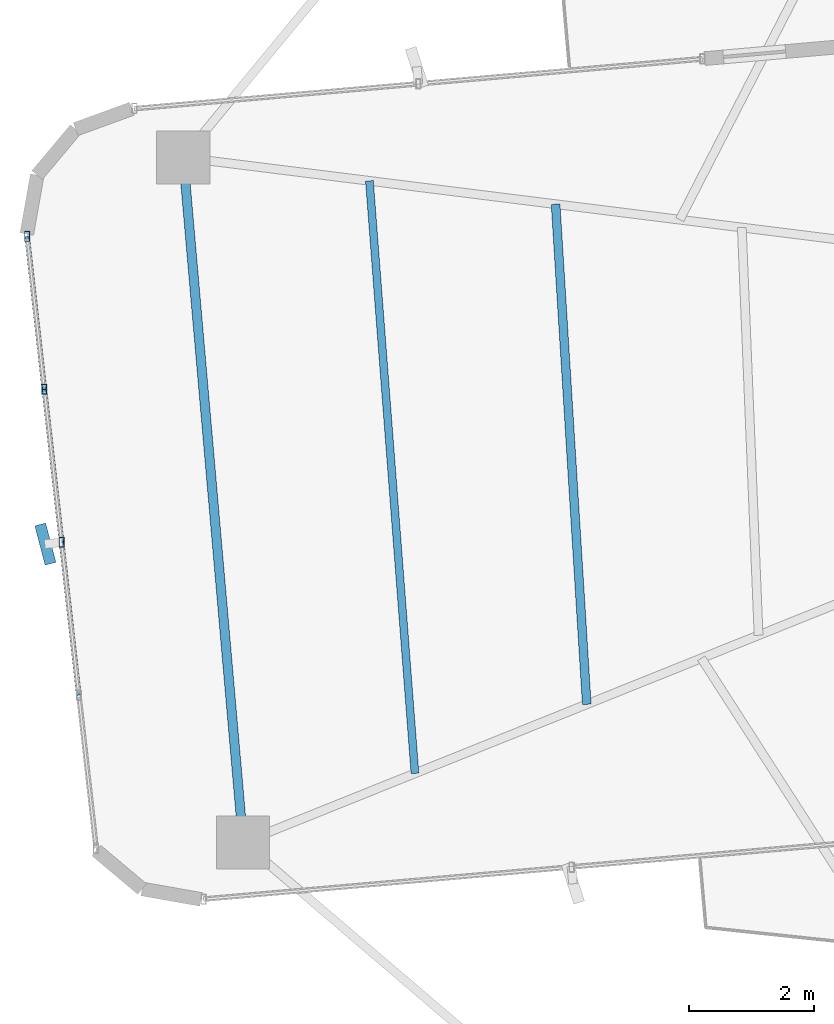
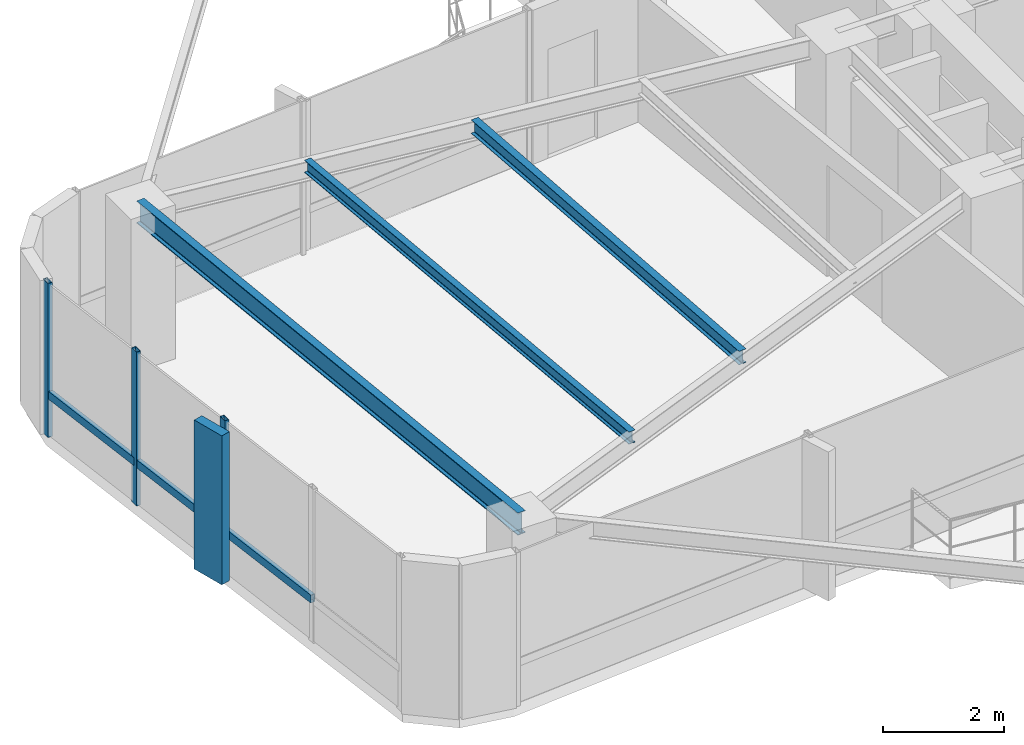
# One storey, part 8 of 24: 7 members, 3 beams, 1 element without a shape of its own.
"""IFC4 building model written with IfcOpenShell, lengths in metres."""

import ifcopenshell
import ifcopenshell.guid

model = None  # the IFC model being written
_history = None  # IfcOwnerHistory: only IFC2X3 demands one
_inside = {}  # id of a spatial element -> (the spatial element, [elements in it])
_under = {}  # id of a project, library or spatial element -> (it, [spatial elements below it])
_declared = {}  # id of a project -> (the project, [libraries it declares])
_typed = {}  # id of a type object -> (the type object, [elements of that type])
_made_of = {}  # id of a material, layer set ... -> (it, [elements and type objects made of it])


def new_model(schema):
    """Start an empty IFC model of exactly this schema.

    Asked for "IFC4X3", IfcOpenShell would pick the latest addendum, in which some entities
    have other attributes; the version numbers below select the first issue.
    IFC2X3 requires an IfcOwnerHistory on every rooted entity: one is made here for all.
    """
    global model, _history
    if schema == "IFC4X3":
        model = ifcopenshell.file(schema_version=(4, 3, 0, 0))
    else:
        model = ifcopenshell.file(schema=schema)
    _inside.clear()
    _under.clear()
    _declared.clear()
    _typed.clear()
    _made_of.clear()
    _history = None
    if model.schema == "IFC2X3":
        org = make("IfcOrganization", Name="unknown")
        user = make(
            "IfcPersonAndOrganization",
            ThePerson=make("IfcPerson", FamilyName="unknown"),
            TheOrganization=org,
        )
        app = make(
            "IfcApplication",
            ApplicationDeveloper=org,
            Version="unknown",
            ApplicationFullName="unknown",
            ApplicationIdentifier="unknown",
        )
        _history = make(
            "IfcOwnerHistory",
            OwningUser=user,
            OwningApplication=app,
            ChangeAction="ADDED",
            CreationDate=0,
        )
    return model


def make(cls, **values):
    """One entity of the class cls with the attributes given. An attribute that is None is left unset."""
    return model.create_entity(
        cls, **{name: value for name, value in values.items() if value is not None}
    )


def rooted(cls, **values):
    """An entity with a GlobalId (a new one), such as an element, a storey or a relation."""
    return make(cls, GlobalId=ifcopenshell.guid.new(), OwnerHistory=_history, **values)


def si_unit(unit_type, name, prefix=None):
    """IfcSIUnit, for example si_unit("LENGTHUNIT", "METRE", prefix="MILLI")."""
    return make("IfcSIUnit", UnitType=unit_type, Prefix=prefix, Name=name)


def assignment(units):
    """IfcUnitAssignment: the units of a project."""
    return None if units is None else make("IfcUnitAssignment", Units=units)


def point(xyz):
    """IfcCartesianPoint."""
    return None if xyz is None else make("IfcCartesianPoint", Coordinates=xyz)


def direction(xyz):
    """IfcDirection."""
    return None if xyz is None else make("IfcDirection", DirectionRatios=xyz)


def frame(location, z_axis=None, x_axis=None):
    """IfcAxis2Placement3D, a coordinate frame: its origin and axes. An axis left out is left unset."""
    return make(
        "IfcAxis2Placement3D",
        Location=point(location),
        Axis=direction(z_axis),
        RefDirection=direction(x_axis),
    )


def frame_2d(location, x_axis=None):
    """IfcAxis2Placement2D, a coordinate frame in the plane: its origin and x axis."""
    return make(
        "IfcAxis2Placement2D", Location=point(location), RefDirection=direction(x_axis)
    )


def origin():
    """The frame at (0, 0, 0) with its axes left unset."""
    return frame((0.0, 0.0, 0.0))


def origin_2d():
    """The frame at (0, 0) in the plane with its x axis left unset."""
    return frame_2d((0.0, 0.0))


def place(relative_to, where):
    """IfcLocalPlacement: puts the frame where relative to a parent placement (None: the world)."""
    return make(
        "IfcLocalPlacement", PlacementRelTo=relative_to, RelativePlacement=where
    )


def context(
    kind, dimensions, precision=None, world=None, true_north=None, identifier=None
):
    """IfcGeometricRepresentationContext, for example the 3D "Model" context."""
    return make(
        "IfcGeometricRepresentationContext",
        ContextIdentifier=identifier,
        ContextType=kind,
        CoordinateSpaceDimension=dimensions,
        Precision=precision,
        WorldCoordinateSystem=world,
        TrueNorth=true_north,
    )


def subcontext(parent, identifier, kind, view, scale=None):
    """IfcGeometricRepresentationSubContext, for example "Body" below "Model"."""
    return make(
        "IfcGeometricRepresentationSubContext",
        ContextIdentifier=identifier,
        ContextType=kind,
        ParentContext=parent,
        TargetScale=scale,
        TargetView=view,
    )


def project(units=None, contexts=None):
    """IfcProject with its units and contexts."""
    return rooted(
        "IfcProject",
        Name="project",
        RepresentationContexts=contexts,
        UnitsInContext=assignment(units),
    )


def spatial(cls, under=None, at=None, **own):
    """A site, building, storey or space (cls), placed at a placement, below another one or the project."""
    s = rooted(cls, ObjectPlacement=at, **own)
    if under is not None:
        _under.setdefault(under.id(), (under, []))[1].append(s)
    return s


def profile(cls, at=None, kind="AREA", **sizes):
    """A parametric profile (cls). Its sizes go by their IFC names, for example OverallWidth=200.0."""
    return make(cls, ProfileType=kind, Position=at, **sizes)


def rectangle(**sizes):
    """IfcRectangleProfileDef."""
    return profile("IfcRectangleProfileDef", **sizes)


def hollow_rectangle(**sizes):
    """IfcRectangleHollowProfileDef."""
    return profile("IfcRectangleHollowProfileDef", **sizes)


def i_section(**sizes):
    """IfcIShapeProfileDef."""
    return profile("IfcIShapeProfileDef", **sizes)


def extrude(swept, where, along, depth):
    """IfcExtrudedAreaSolid: the profile swept, set in the frame where, extruded along a direction by depth."""
    return make(
        "IfcExtrudedAreaSolid",
        SweptArea=swept,
        Position=where,
        ExtrudedDirection=direction(along),
        Depth=depth,
    )


def shape(context_of_items, identifier, shape_type, items):
    """IfcShapeRepresentation: the items that make up one representation, for example the "Body"."""
    return make(
        "IfcShapeRepresentation",
        ContextOfItems=context_of_items,
        RepresentationIdentifier=identifier,
        RepresentationType=shape_type,
        Items=items,
    )


def source(mapping_origin, context_of_items, identifier, shape_type, items):
    """IfcRepresentationMap: a shape defined once, which mapped items show again and again."""
    return make(
        "IfcRepresentationMap",
        MappingOrigin=mapping_origin,
        MappedRepresentation=shape(context_of_items, identifier, shape_type, items),
    )


def transform(
    local_origin,
    x_axis=None,
    y_axis=None,
    z_axis=None,
    scale=None,
    scale2=None,
    scale3=None,
    uniform=True,
):
    """IfcCartesianTransformationOperator3D, or its non-uniform kind. x_axis, y_axis, z_axis: its Axis1, 2, 3."""
    if uniform:
        return make(
            "IfcCartesianTransformationOperator3D",
            Axis1=direction(x_axis),
            Axis2=direction(y_axis),
            LocalOrigin=point(local_origin),
            Scale=scale,
            Axis3=direction(z_axis),
        )
    return make(
        "IfcCartesianTransformationOperator3DnonUniform",
        Axis1=direction(x_axis),
        Axis2=direction(y_axis),
        LocalOrigin=point(local_origin),
        Scale=scale,
        Axis3=direction(z_axis),
        Scale2=scale2,
        Scale3=scale3,
    )


def mapped(mapping_source, mapping_target):
    """IfcMappedItem: shows the shape of a source again, moved by a transform."""
    return make(
        "IfcMappedItem", MappingSource=mapping_source, MappingTarget=mapping_target
    )


def material(Name=None, Category=None):
    """IfcMaterial."""
    return make("IfcMaterial", Name=Name, Category=Category)


def material_profile(
    of_material, cross_section, Name=None, Category=None, Priority=None
):
    """IfcMaterialProfile: a cross section and its material."""
    return make(
        "IfcMaterialProfile",
        Name=Name,
        Material=of_material,
        Profile=cross_section,
        Priority=Priority,
        Category=Category,
    )


def profile_set(profiles, Name=None, composite=None):
    """IfcMaterialProfileSet."""
    return make(
        "IfcMaterialProfileSet",
        Name=Name,
        MaterialProfiles=profiles,
        CompositeProfile=composite,
    )


def made_of(thing, what):
    """Note that an element or type object is made of a material, layer set ...; save() writes the relation."""
    if what is not None:
        _made_of.setdefault(what.id(), (what, []))[1].append(thing)
    return thing


def type_object(cls, material=None, **own):
    """A type object (cls), such as IfcWallType, which elements share."""
    return made_of(rooted(cls, **own), material)


def element(
    cls,
    number,
    at=None,
    inside=None,
    cuts=None,
    type_object=None,
    material=None,
    context=None,
    identifier="Body",
    shape_type=None,
    held_by="IfcProductDefinitionShape",
    body=None,
    shapes=None,
    **own,
):
    """One element of the class cls, such as IfcWall. Its Tag is "e" and its number.

    at: its placement. inside: the storey or other place that contains it. cuts: it is an
    opening in that element (IfcRelVoidsElement). A single representation is given by context,
    identifier, shape_type and body (its items); several are given by shapes. held_by: the class
    of the entity that holds the representations. save() writes the other relations.
    """
    e = rooted(cls, Tag="e%d" % number, ObjectPlacement=at, **own)
    if body is not None:
        shapes = [shape(context, identifier, shape_type, body)]
    if shapes is not None:
        e.Representation = make(held_by, Representations=shapes)
    if inside is not None:
        _inside.setdefault(inside.id(), (inside, []))[1].append(e)
    if cuts is not None:
        rooted(
            "IfcRelVoidsElement", RelatingBuildingElement=cuts, RelatedOpeningElement=e
        )
    if type_object is not None:
        _typed.setdefault(type_object.id(), (type_object, []))[1].append(e)
    return made_of(e, material)


def aggregate(whole, parts):
    """IfcRelAggregates: a whole, such as a stair, and the parts it consists of."""
    return rooted("IfcRelAggregates", RelatingObject=whole, RelatedObjects=parts)


def save(model, path):
    """Write the relations noted so far, then the file.

    IfcRelAggregates (storeys below a building ...), IfcRelContainedInSpatialStructure (elements
    in a storey), IfcRelDefinesByType, IfcRelAssociatesMaterial and IfcRelDeclares: one each for
    every whole, place, type object, material and project.
    """
    for whole, parts in _under.values():
        aggregate(whole, parts)
    for where, things in _inside.values():
        rooted(
            "IfcRelContainedInSpatialStructure",
            RelatedElements=things,
            RelatingStructure=where,
        )
    for kind, things in _typed.values():
        rooted("IfcRelDefinesByType", RelatedObjects=things, RelatingType=kind)
    for what, things in _made_of.values():
        rooted("IfcRelAssociatesMaterial", RelatedObjects=things, RelatingMaterial=what)
    for by, libraries in _declared.values():
        rooted("IfcRelDeclares", RelatingContext=by, RelatedDefinitions=libraries)
    model.write(path)


model = new_model("IFC4")

# Units and contexts
model_context = context("Model", 3, precision=1e-05, world=origin(), true_north=direction((0.0, 1.0)))
body_context = subcontext(model_context, "Body", "Model", "MODEL_VIEW")
ifc_project = project(units=[si_unit("LENGTHUNIT", "METRE"), si_unit("AREAUNIT", "SQUARE_METRE"), si_unit("VOLUMEUNIT", "CUBIC_METRE"), si_unit("PLANEANGLEUNIT", "RADIAN"), si_unit("MASSUNIT", "GRAM", prefix="KILO")], contexts=[model_context])

# Site, building, storey
site_placement = place(None, origin())
site = spatial("IfcSite", under=ifc_project, at=site_placement, CompositionType="ELEMENT")
building_placement = place(site_placement, origin())
building = spatial("IfcBuilding", under=site, at=building_placement, Name="Sahyath Konkavel Grand Hotel", CompositionType="ELEMENT")
storey_placement = place(building_placement, frame((0.0, 0.0, 160.64990234375)))
storey = spatial("IfcBuildingStorey", under=building, at=storey_placement, Name="L44", CompositionType="ELEMENT", Elevation=160.64990234375)

# Beams
ifc_material_1 = material(Name="Steel E350", Category="steel")
ifc_material_profile_1 = material_profile(ifc_material_1, i_section(OverallWidth=0.14990234375, OverallDepth=0.449951171875, WebThickness=0.009521484375, FlangeThickness=0.017333984375, FilletRadius=0.014892578125, at=origin_2d()), Name="ISMB 450")
ifc_profile_set_1 = profile_set([ifc_material_profile_1], Name="Steel E350")
beam_type_1 = type_object("IfcBeamType", Name="BM-ISMB450", PredefinedType="BEAM", material=ifc_profile_set_1)
shared_shape_1 = source(origin(), body_context, "Body", "SweptSolid", [
    extrude(i_section(OverallWidth=0.14990234375, OverallDepth=0.449951171875, WebThickness=0.009521484375, FlangeThickness=0.017333984375, FilletRadius=0.014892578125, at=origin_2d()), origin(), (0.0, 0.0, 1.0), 11.0),
])
beam_1_placement = place(storey_placement, frame((-17.912841796875, 3.953857421875, 2.885009765625), z_axis=(0.087157314015, -0.996194560622, 0.0), x_axis=(0.996194560622, 0.087157314015, 0.0)))
element("IfcBeam", 1, at=beam_1_placement, inside=storey, type_object=beam_type_1, Name="L44 Wing Tip Edge Beam W", PredefinedType="BEAM", context=body_context, shape_type="MappedRepresentation", body=[
    mapped(shared_shape_1, transform((0.0, 0.0, 0.0), scale=1.0)),
])
ifc_material_profile_2 = material_profile(ifc_material_1, i_section(OverallWidth=0.139892578125, OverallDepth=0.27490234375, WebThickness=0.00634765625, FlangeThickness=0.0087890625, FilletRadius=0.012939453125, at=origin_2d()), Name="ISLB 275")
ifc_profile_set_2 = profile_set([ifc_material_profile_2], Name="Steel E350")
beam_type_2 = type_object("IfcBeamType", Name="BM-ISLB275", PredefinedType="BEAM", material=ifc_profile_set_2)
shared_shape_2 = source(origin(), body_context, "Body", "SweptSolid", [
    extrude(i_section(OverallWidth=0.139892578125, OverallDepth=0.27490234375, WebThickness=0.00634765625, FlangeThickness=0.0087890625, FilletRadius=0.012939453125, at=origin_2d()), origin(), (0.0, 0.0, 1.0), 8.017822265625),
])
beam_2_placement = place(storey_placement, frame((-11.95458984375, 3.2080078125, 2.97265625), z_axis=(0.062179233264, -0.998064999362, 0.0), x_axis=(0.998064999362, 0.062179233264, 0.0)))
element("IfcBeam", 2, at=beam_2_placement, inside=storey, type_object=beam_type_2, Name="L44 Secondary Floor Beam W-2", PredefinedType="BEAM", context=body_context, shape_type="MappedRepresentation", body=[
    mapped(shared_shape_2, transform((0.0, 0.0, 0.0), scale=1.0)),
])
ifc_material_profile_3 = material_profile(ifc_material_1, i_section(OverallWidth=0.125, OverallDepth=0.25, WebThickness=0.0068359375, FlangeThickness=0.012451171875, FilletRadius=0.012939453125, at=origin_2d()), Name="ISMB 250")
ifc_profile_set_3 = profile_set([ifc_material_profile_3], Name="Steel E350")
beam_type_3 = type_object("IfcBeamType", Name="BM-ISMB250", PredefinedType="BEAM", material=ifc_profile_set_3)
shared_shape_3 = source(origin(), body_context, "Body", "SweptSolid", [
    extrude(i_section(OverallWidth=0.125, OverallDepth=0.25, WebThickness=0.0068359375, FlangeThickness=0.012451171875, FilletRadius=0.012939453125, at=origin_2d()), origin(), (0.0, 0.0, 1.0), 9.508056640625),
])
beam_3_placement = place(storey_placement, frame((-14.93359375, 3.580810546875, 2.985107421875), z_axis=(0.076619921029, -0.997060373148, 0.0), x_axis=(0.997060373148, 0.076619921029, 0.0)))
element("IfcBeam", 3, at=beam_3_placement, inside=storey, type_object=beam_type_3, Name="L44 Secondary Floor Beam W-3", PredefinedType="BEAM", context=body_context, shape_type="MappedRepresentation", body=[
    mapped(shared_shape_3, transform((0.0, 0.0, 0.0), scale=1.0)),
])

# Curtain wall, members
ifc_material_2 = material(Name="Anodised Bronze Aluminium & Low-E Glazing", Category="aluminium")
curtain_wall_type = type_object("IfcCurtainWallType", Name="CW-ZONE3", PredefinedType="NOTDEFINED", material=ifc_material_2)
curtain_wall_placement = place(storey_placement, origin())
curtain_wall = element("IfcCurtainWall", 4, at=curtain_wall_placement, inside=storey, type_object=curtain_wall_type, Name="L44 Unitised Curtain Wall F20", PredefinedType="NOTDEFINED")
ifc_material_3 = material(Name="Warm Buff Sandstone Cladding on Concrete C50/60", Category="masonry")
ifc_material_profile_4 = material_profile(ifc_material_3, rectangle(XDim=0.179931640625, YDim=0.64990234375, at=origin_2d()), Name="FIN 180x650")
ifc_profile_set_4 = profile_set([ifc_material_profile_4], Name="Warm Buff Sandstone Cladding on Concrete C50/60")
member_type_1 = type_object("IfcMemberType", Name="FIN-SANDSTONE-650", PredefinedType="MULLION", material=ifc_profile_set_4)
shared_shape_4 = source(origin(), body_context, "Body", "SweptSolid", [
    extrude(rectangle(XDim=0.179931640625, YDim=0.64990234375, at=origin_2d()), origin(), (0.0, 0.0, 1.0), 3.010009765625),
])
member_1_placement = place(storey_placement, frame((-20.1181640625, -2.23095703125, 0.050048828125), z_axis=(0.0, 0.0, 1.0), x_axis=(0.967134752842, 0.254264369988, 0.0)))
member_1 = element("IfcMember", 5, at=member_1_placement, type_object=member_type_1, Name="L44 Sandstone Vertical Solar Fin FIN F20-2", PredefinedType="MULLION", context=body_context, shape_type="MappedRepresentation", body=[
    mapped(shared_shape_4, transform((0.0, 0.0, 0.0), scale=1.0)),
])
ifc_material_4 = material(Name="Anodised Bronze Aluminium", Category="aluminium")
ifc_material_profile_5 = material_profile(ifc_material_4, hollow_rectangle(XDim=0.080078125, YDim=0.159912109375, WallThickness=0.006103515625, at=origin_2d()), Name="RHS 160x80x6")
ifc_profile_set_5 = profile_set([ifc_material_profile_5], Name="Anodised Bronze Aluminium")
member_type_2 = type_object("IfcMemberType", Name="CW-MUL-160", PredefinedType="MULLION", material=ifc_profile_set_5)
shared_shape_5 = source(origin(), body_context, "Body", "SweptSolid", [
    extrude(hollow_rectangle(XDim=0.080078125, YDim=0.159912109375, WallThickness=0.006103515625, at=origin_2d()), origin(), (0.0, 0.0, 1.0), 3.110107421875),
])
member_2_placement = place(storey_placement, frame((-20.4111328125, 2.69140625, 0.0), z_axis=(0.0, 0.0, 1.0), x_axis=(1.0, 0.0, 0.0)))
member_2 = element("IfcMember", 6, at=member_2_placement, type_object=member_type_2, Name="L44 Curtain Wall Mullion F20-0", PredefinedType="MULLION", context=body_context, shape_type="MappedRepresentation", body=[
    mapped(shared_shape_5, transform((0.0, 0.0, 0.0), scale=1.0)),
])
member_3_placement = place(storey_placement, frame((-20.135498046875, 0.24462890625, 0.0), z_axis=(0.0, 0.0, 1.0), x_axis=(1.0, 0.0, 0.0)))
member_3 = element("IfcMember", 7, at=member_3_placement, type_object=member_type_2, Name="L44 Curtain Wall Mullion F20-1", PredefinedType="MULLION", context=body_context, shape_type="MappedRepresentation", body=[
    mapped(shared_shape_5, transform((0.0, 0.0, 0.0), scale=1.0)),
])
member_4_placement = place(storey_placement, frame((-19.859619140625, -2.201904296875, 0.0), z_axis=(0.0, 0.0, 1.0), x_axis=(1.0, 0.0, 0.0)))
member_4 = element("IfcMember", 8, at=member_4_placement, type_object=member_type_2, Name="L44 Curtain Wall Mullion F20-2", PredefinedType="MULLION", context=body_context, shape_type="MappedRepresentation", body=[
    mapped(shared_shape_5, transform((0.0, 0.0, 0.0), scale=1.0)),
])
ifc_material_profile_6 = material_profile(ifc_material_4, hollow_rectangle(XDim=0.080078125, YDim=0.159912109375, WallThickness=0.006103515625, at=origin_2d()), Name="RHS 160x80x6")
ifc_profile_set_6 = profile_set([ifc_material_profile_6], Name="Anodised Bronze Aluminium")
member_type_3 = type_object("IfcMemberType", Name="CW-TRN-160", PredefinedType="USERDEFINED", material=ifc_profile_set_6)
shared_shape_6 = source(origin(), body_context, "Body", "SweptSolid", [
    extrude(hollow_rectangle(XDim=0.080078125, YDim=0.159912109375, WallThickness=0.006103515625, at=origin_2d()), origin(), (0.0, 0.0, 1.0), 2.462158203125),
])
member_5_placement = place(storey_placement, frame((-20.4111328125, 2.69140625, 0.85009765625), z_axis=(0.11194409079, -0.993714506555, 0.0), x_axis=(0.993714506555, 0.11194409079, 0.0)))
member_5 = element("IfcMember", 9, at=member_5_placement, type_object=member_type_3, Name="L44 Curtain Wall Transom F20-0-spandrel", ObjectType="TRANSOM", PredefinedType="USERDEFINED", context=body_context, shape_type="MappedRepresentation", body=[
    mapped(shared_shape_6, transform((0.0, 0.0, 0.0), scale=1.0)),
])
member_6_placement = place(storey_placement, frame((-20.135498046875, 0.24462890625, 0.85009765625), z_axis=(0.112053040279, -0.99370222711, 0.0), x_axis=(0.99370222711, 0.112053040279, 0.0)))
member_6 = element("IfcMember", 10, at=member_6_placement, type_object=member_type_3, Name="L44 Curtain Wall Transom F20-1-spandrel", ObjectType="TRANSOM", PredefinedType="USERDEFINED", context=body_context, shape_type="MappedRepresentation", body=[
    mapped(shared_shape_6, transform((0.0, 0.0, 0.0), scale=1.0)),
])
shared_shape_7 = source(origin(), body_context, "Body", "SweptSolid", [
    extrude(hollow_rectangle(XDim=0.080078125, YDim=0.159912109375, WallThickness=0.006103515625, at=origin_2d()), origin(), (0.0, 0.0, 1.0), 2.461669921875),
])
member_7_placement = place(storey_placement, frame((-19.859619140625, -2.201904296875, 0.85009765625), z_axis=(0.111966154832, -0.993712020744, 0.0), x_axis=(0.993712020744, 0.111966154832, 0.0)))
member_7 = element("IfcMember", 11, at=member_7_placement, type_object=member_type_3, Name="L44 Curtain Wall Transom F20-2-spandrel", ObjectType="TRANSOM", PredefinedType="USERDEFINED", context=body_context, shape_type="MappedRepresentation", body=[
    mapped(shared_shape_7, transform((0.0, 0.0, 0.0), scale=1.0)),
])
aggregate(curtain_wall, [member_2, member_3, member_4, member_1, member_5, member_6, member_7])

save(model, "model.ifc")
